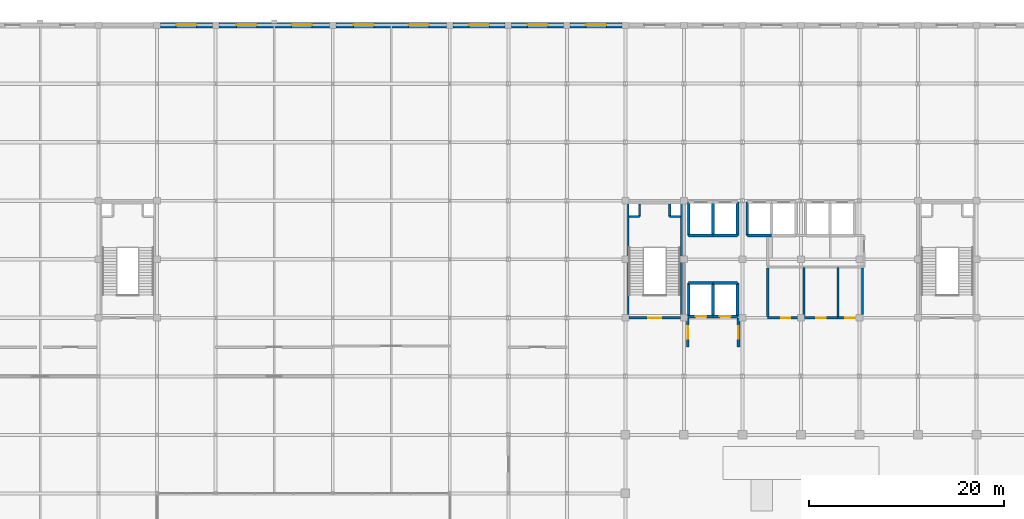
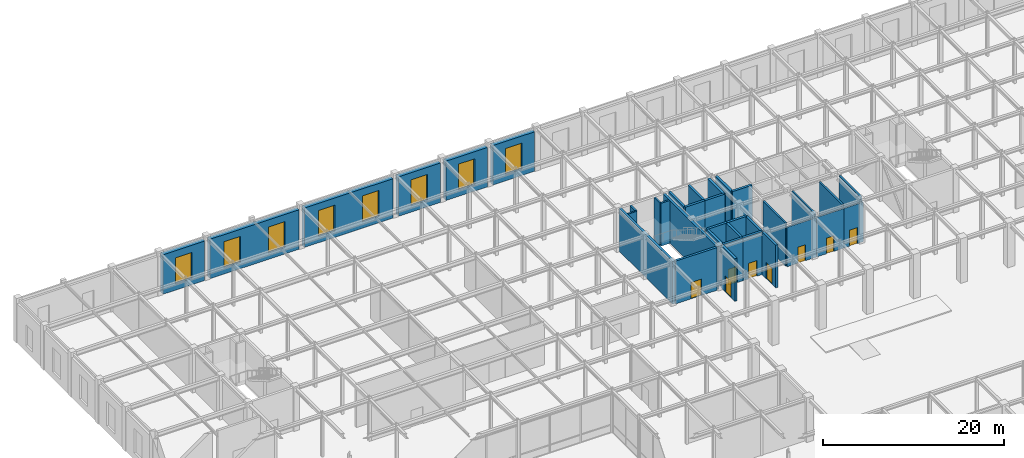
# One storey, part 101 of 108: 36 walls, 8 doors, 8 windows, 16 openings.
"""IFC4 building model written with IfcOpenShell, lengths in metres."""

from ifc_helpers import new_model, si_unit, direction, frame, frame_2d, origin, place, context, subcontext, project, spatial, rectangle, extrude, material, layer, layer_set, type_object, element, fill, save


model = new_model("IFC4")

# Units and contexts
model_context = context("Model", 3, precision=1e-05, world=origin(), true_north=direction((0.0, 1.0)))
body_context = subcontext(model_context, "Body", "Model", "MODEL_VIEW")
ifc_project = project(units=[si_unit("LENGTHUNIT", "METRE"), si_unit("AREAUNIT", "SQUARE_METRE"), si_unit("VOLUMEUNIT", "CUBIC_METRE"), si_unit("PLANEANGLEUNIT", "RADIAN"), si_unit("MASSUNIT", "GRAM", prefix="KILO")], contexts=[model_context])

# Site, building, storey
site_placement = place(None, origin())
site = spatial("IfcSite", under=ifc_project, at=site_placement, CompositionType="ELEMENT")
building_placement = place(site_placement, origin())
building = spatial("IfcBuilding", under=site, at=building_placement, Name="Zlatovratsky Civic Hall", CompositionType="ELEMENT")
storey_placement = place(building_placement, frame((0.0, 0.0, 6.0)))
storey = spatial("IfcBuildingStorey", under=building, at=storey_placement, Name="L02", CompositionType="ELEMENT", Elevation=6.0)

# Wall, opening, window
ifc_material_1 = material(Name="Acoustic ceramic blockwork", Category="masonry")
ifc_layer_1 = layer(ifc_material_1, 0.39990234375, Name="Backing")
ifc_material_2 = material(Name="Polished Karelian granite ashlar", Category="masonry")
ifc_layer_2 = layer(ifc_material_2, 0.139892578125, Name="Finish")
ifc_layer_set_1 = layer_set([ifc_layer_1, ifc_layer_2], Name="Acoustic ceramic blockwork")
wall_type_1 = type_object("IfcWallType", Name="Wall_PodiumGraniteArcade_540", PredefinedType="SOLIDWALL", material=ifc_layer_set_1)
wall_1_placement = place(storey_placement, frame((18.35009765625, 114.0, 0.0), z_axis=(0.0, 0.0, 1.0), x_axis=(1.0, 0.0, 0.0)))
wall_1 = element("IfcWall", 1, at=wall_1_placement, inside=storey, type_object=wall_type_1, Name="WL-0187", PredefinedType="SOLIDWALL", context=body_context, shape_type="SweptSolid", body=[
    extrude(rectangle(XDim=5.2998046875, YDim=0.5400390625, at=frame_2d((2.64990234375, 0.0))), origin(), (0.0, 0.0, 1.0), 5.31005859375),
])
opening_1_placement = place(wall_1_placement, frame((1.60009765625, 0.0, 0.85009765625)))
opening_1 = element("IfcOpeningElement", 2, at=opening_1_placement, cuts=wall_1, Name="Opening WN-05", PredefinedType="OPENING", context=body_context, shape_type="SweptSolid", body=[
    extrude(rectangle(XDim=2.10009765625, YDim=3.5, at=frame_2d((1.050048828125, 1.75))), frame((0.0, 0.284912109375, 0.0), z_axis=(0.0, -1.0, 0.0), x_axis=(1.0, 0.0, 0.0)), (0.0, 0.0, 1.0), 0.56982421875),
])
ifc_material_3 = material(Name="Low-E laminated double glazing", Category="glass")
window_type = type_object("IfcWindowType", Name="Window_PianoNobileWing_2100x3500", PartitioningType="SINGLE_PANEL", PredefinedType="WINDOW", material=ifc_material_3)
window_1_placement = place(opening_1_placement, origin())
window_1 = element("IfcWindow", 3, at=window_1_placement, inside=storey, type_object=window_type, Name="WN-0103", OverallHeight=3.5, OverallWidth=2.10009765625, PartitioningType="SINGLE_PANEL", PredefinedType="WINDOW", context=body_context, shape_type="SweptSolid", body=[
    extrude(rectangle(XDim=2.10009765625, YDim=3.5, at=frame_2d((1.050048828125, 1.75))), frame((0.0, 0.030029296875, 0.0), z_axis=(0.0, -1.0, 0.0), x_axis=(1.0, 0.0, 0.0)), (0.0, 0.0, 1.0), 0.06005859375),
])
fill(opening_1, window_1)

# Wall, openings, windows
wall_2_placement = place(storey_placement, frame((24.35009765625, 114.0, 0.0), z_axis=(0.0, 0.0, 1.0), x_axis=(1.0, 0.0, 0.0)))
wall_2 = element("IfcWall", 4, at=wall_2_placement, inside=storey, type_object=wall_type_1, Name="WL-0188", PredefinedType="SOLIDWALL", context=body_context, shape_type="SweptSolid", body=[
    extrude(rectangle(XDim=11.2998046875, YDim=0.5400390625, at=frame_2d((5.64990234375, 0.0))), origin(), (0.0, 0.0, 1.0), 5.31005859375),
])
opening_2_placement = place(wall_2_placement, frame((1.77490234375, 0.0, 0.85009765625)))
opening_2 = element("IfcOpeningElement", 5, at=opening_2_placement, cuts=wall_2, Name="Opening WN-05", PredefinedType="OPENING", context=body_context, shape_type="SweptSolid", body=[
    extrude(rectangle(XDim=2.10009765625, YDim=3.5, at=frame_2d((1.050048828125, 1.75))), frame((0.0, 0.284912109375, 0.0), z_axis=(0.0, -1.0, 0.0), x_axis=(1.0, 0.0, 0.0)), (0.0, 0.0, 1.0), 0.56982421875),
])
opening_3_placement = place(wall_2_placement, frame((7.425048828125, 0.0, 0.85009765625)))
opening_3 = element("IfcOpeningElement", 6, at=opening_3_placement, cuts=wall_2, Name="Opening WN-05", PredefinedType="OPENING", context=body_context, shape_type="SweptSolid", body=[
    extrude(rectangle(XDim=2.10009765625, YDim=3.5, at=frame_2d((1.050048828125, 1.75))), frame((0.0, 0.284912109375, 0.0), z_axis=(0.0, -1.0, 0.0), x_axis=(1.0, 0.0, 0.0)), (0.0, 0.0, 1.0), 0.56982421875),
])
window_2_placement = place(opening_2_placement, origin())
window_2 = element("IfcWindow", 7, at=window_2_placement, inside=storey, type_object=window_type, Name="WN-0104", OverallHeight=3.5, OverallWidth=2.10009765625, PartitioningType="SINGLE_PANEL", PredefinedType="WINDOW", context=body_context, shape_type="SweptSolid", body=[
    extrude(rectangle(XDim=2.10009765625, YDim=3.5, at=frame_2d((1.050048828125, 1.75))), frame((0.0, 0.030029296875, 0.0), z_axis=(0.0, -1.0, 0.0), x_axis=(1.0, 0.0, 0.0)), (0.0, 0.0, 1.0), 0.06005859375),
])
fill(opening_2, window_2)
window_3_placement = place(opening_3_placement, origin())
window_3 = element("IfcWindow", 8, at=window_3_placement, inside=storey, type_object=window_type, Name="WN-0105", OverallHeight=3.5, OverallWidth=2.10009765625, PartitioningType="SINGLE_PANEL", PredefinedType="WINDOW", context=body_context, shape_type="SweptSolid", body=[
    extrude(rectangle(XDim=2.10009765625, YDim=3.5, at=frame_2d((1.050048828125, 1.75))), frame((0.0, 0.030029296875, 0.0), z_axis=(0.0, -1.0, 0.0), x_axis=(1.0, 0.0, 0.0)), (0.0, 0.0, 1.0), 0.06005859375),
])
fill(opening_3, window_3)

wall_3_placement = place(storey_placement, frame((36.35009765625, 114.0, 0.0), z_axis=(0.0, 0.0, 1.0), x_axis=(1.0, 0.0, 0.0)))
wall_3 = element("IfcWall", 9, at=wall_3_placement, inside=storey, type_object=wall_type_1, Name="WL-0189", PredefinedType="SOLIDWALL", context=body_context, shape_type="SweptSolid", body=[
    extrude(rectangle(XDim=11.2998046875, YDim=0.5400390625, at=frame_2d((5.64990234375, 0.0))), origin(), (0.0, 0.0, 1.0), 5.31005859375),
])
opening_4_placement = place(wall_3_placement, frame((1.77490234375, 0.0, 0.85009765625)))
opening_4 = element("IfcOpeningElement", 10, at=opening_4_placement, cuts=wall_3, Name="Opening WN-05", PredefinedType="OPENING", context=body_context, shape_type="SweptSolid", body=[
    extrude(rectangle(XDim=2.10009765625, YDim=3.5, at=frame_2d((1.050048828125, 1.75))), frame((0.0, 0.284912109375, 0.0), z_axis=(0.0, -1.0, 0.0), x_axis=(1.0, 0.0, 0.0)), (0.0, 0.0, 1.0), 0.56982421875),
])
opening_5_placement = place(wall_3_placement, frame((7.425048828125, 0.0, 0.85009765625)))
opening_5 = element("IfcOpeningElement", 11, at=opening_5_placement, cuts=wall_3, Name="Opening WN-05", PredefinedType="OPENING", context=body_context, shape_type="SweptSolid", body=[
    extrude(rectangle(XDim=2.10009765625, YDim=3.5, at=frame_2d((1.050048828125, 1.75))), frame((0.0, 0.284912109375, 0.0), z_axis=(0.0, -1.0, 0.0), x_axis=(1.0, 0.0, 0.0)), (0.0, 0.0, 1.0), 0.56982421875),
])
window_4_placement = place(opening_4_placement, origin())
window_4 = element("IfcWindow", 12, at=window_4_placement, inside=storey, type_object=window_type, Name="WN-0106", OverallHeight=3.5, OverallWidth=2.10009765625, PartitioningType="SINGLE_PANEL", PredefinedType="WINDOW", context=body_context, shape_type="SweptSolid", body=[
    extrude(rectangle(XDim=2.10009765625, YDim=3.5, at=frame_2d((1.050048828125, 1.75))), frame((0.0, 0.030029296875, 0.0), z_axis=(0.0, -1.0, 0.0), x_axis=(1.0, 0.0, 0.0)), (0.0, 0.0, 1.0), 0.06005859375),
])
fill(opening_4, window_4)
window_5_placement = place(opening_5_placement, origin())
window_5 = element("IfcWindow", 13, at=window_5_placement, inside=storey, type_object=window_type, Name="WN-0107", OverallHeight=3.5, OverallWidth=2.10009765625, PartitioningType="SINGLE_PANEL", PredefinedType="WINDOW", context=body_context, shape_type="SweptSolid", body=[
    extrude(rectangle(XDim=2.10009765625, YDim=3.5, at=frame_2d((1.050048828125, 1.75))), frame((0.0, 0.030029296875, 0.0), z_axis=(0.0, -1.0, 0.0), x_axis=(1.0, 0.0, 0.0)), (0.0, 0.0, 1.0), 0.06005859375),
])
fill(opening_5, window_5)

# Wall, opening, window
wall_4_placement = place(storey_placement, frame((48.35009765625, 114.0, 0.0), z_axis=(0.0, 0.0, 1.0), x_axis=(1.0, 0.0, 0.0)))
wall_4 = element("IfcWall", 14, at=wall_4_placement, inside=storey, type_object=wall_type_1, Name="WL-0190", PredefinedType="SOLIDWALL", context=body_context, shape_type="SweptSolid", body=[
    extrude(rectangle(XDim=5.2998046875, YDim=0.5400390625, at=frame_2d((2.64990234375, 0.0))), origin(), (0.0, 0.0, 1.0), 5.31005859375),
])
opening_6_placement = place(wall_4_placement, frame((1.60009765625, 0.0, 0.85009765625)))
opening_6 = element("IfcOpeningElement", 15, at=opening_6_placement, cuts=wall_4, Name="Opening WN-05", PredefinedType="OPENING", context=body_context, shape_type="SweptSolid", body=[
    extrude(rectangle(XDim=2.10009765625, YDim=3.5, at=frame_2d((1.050048828125, 1.75))), frame((0.0, 0.284912109375, 0.0), z_axis=(0.0, -1.0, 0.0), x_axis=(1.0, 0.0, 0.0)), (0.0, 0.0, 1.0), 0.56982421875),
])
window_6_placement = place(opening_6_placement, origin())
window_6 = element("IfcWindow", 16, at=window_6_placement, inside=storey, type_object=window_type, Name="WN-0108", OverallHeight=3.5, OverallWidth=2.10009765625, PartitioningType="SINGLE_PANEL", PredefinedType="WINDOW", context=body_context, shape_type="SweptSolid", body=[
    extrude(rectangle(XDim=2.10009765625, YDim=3.5, at=frame_2d((1.050048828125, 1.75))), frame((0.0, 0.030029296875, 0.0), z_axis=(0.0, -1.0, 0.0), x_axis=(1.0, 0.0, 0.0)), (0.0, 0.0, 1.0), 0.06005859375),
])
fill(opening_6, window_6)

wall_5_placement = place(storey_placement, frame((54.35009765625, 114.0, 0.0), z_axis=(0.0, 0.0, 1.0), x_axis=(1.0, 0.0, 0.0)))
wall_5 = element("IfcWall", 17, at=wall_5_placement, inside=storey, type_object=wall_type_1, Name="WL-0191", PredefinedType="SOLIDWALL", context=body_context, shape_type="SweptSolid", body=[
    extrude(rectangle(XDim=5.2998046875, YDim=0.5400390625, at=frame_2d((2.64990234375, 0.0))), origin(), (0.0, 0.0, 1.0), 5.31005859375),
])
opening_7_placement = place(wall_5_placement, frame((1.60009765625, 0.0, 0.85009765625)))
opening_7 = element("IfcOpeningElement", 18, at=opening_7_placement, cuts=wall_5, Name="Opening WN-05", PredefinedType="OPENING", context=body_context, shape_type="SweptSolid", body=[
    extrude(rectangle(XDim=2.10009765625, YDim=3.5, at=frame_2d((1.050048828125, 1.75))), frame((0.0, 0.284912109375, 0.0), z_axis=(0.0, -1.0, 0.0), x_axis=(1.0, 0.0, 0.0)), (0.0, 0.0, 1.0), 0.56982421875),
])
window_7_placement = place(opening_7_placement, origin())
window_7 = element("IfcWindow", 19, at=window_7_placement, inside=storey, type_object=window_type, Name="WN-0109", OverallHeight=3.5, OverallWidth=2.10009765625, PartitioningType="SINGLE_PANEL", PredefinedType="WINDOW", context=body_context, shape_type="SweptSolid", body=[
    extrude(rectangle(XDim=2.10009765625, YDim=3.5, at=frame_2d((1.050048828125, 1.75))), frame((0.0, 0.030029296875, 0.0), z_axis=(0.0, -1.0, 0.0), x_axis=(1.0, 0.0, 0.0)), (0.0, 0.0, 1.0), 0.06005859375),
])
fill(opening_7, window_7)

wall_6_placement = place(storey_placement, frame((60.35009765625, 114.0, 0.0), z_axis=(0.0, 0.0, 1.0), x_axis=(1.0, 0.0, 0.0)))
wall_6 = element("IfcWall", 20, at=wall_6_placement, inside=storey, type_object=wall_type_1, Name="WL-0192", PredefinedType="SOLIDWALL", context=body_context, shape_type="SweptSolid", body=[
    extrude(rectangle(XDim=5.2998046875, YDim=0.5400390625, at=frame_2d((2.64990234375, 0.0))), origin(), (0.0, 0.0, 1.0), 5.31005859375),
])
opening_8_placement = place(wall_6_placement, frame((1.60009765625, 0.0, 0.85009765625)))
opening_8 = element("IfcOpeningElement", 21, at=opening_8_placement, cuts=wall_6, Name="Opening WN-05", PredefinedType="OPENING", context=body_context, shape_type="SweptSolid", body=[
    extrude(rectangle(XDim=2.10009765625, YDim=3.5, at=frame_2d((1.050048828125, 1.75))), frame((0.0, 0.284912109375, 0.0), z_axis=(0.0, -1.0, 0.0), x_axis=(1.0, 0.0, 0.0)), (0.0, 0.0, 1.0), 0.56982421875),
])
window_8_placement = place(opening_8_placement, origin())
window_8 = element("IfcWindow", 22, at=window_8_placement, inside=storey, type_object=window_type, Name="WN-0110", OverallHeight=3.5, OverallWidth=2.10009765625, PartitioningType="SINGLE_PANEL", PredefinedType="WINDOW", context=body_context, shape_type="SweptSolid", body=[
    extrude(rectangle(XDim=2.10009765625, YDim=3.5, at=frame_2d((1.050048828125, 1.75))), frame((0.0, 0.030029296875, 0.0), z_axis=(0.0, -1.0, 0.0), x_axis=(1.0, 0.0, 0.0)), (0.0, 0.0, 1.0), 0.06005859375),
])
fill(opening_8, window_8)

# Walls
ifc_layer_3 = layer(ifc_material_1, 0.219970703125)
ifc_layer_set_2 = layer_set([ifc_layer_3], Name="Acoustic ceramic blockwork")
wall_type_2 = type_object("IfcWallType", Name="Wall_SanitaryWetCore_220", PredefinedType="PARTITIONING", material=ifc_layer_set_2)
wall_7_placement = place(storey_placement, frame((67.449951171875, 94.39990234375, 0.0), z_axis=(0.0, 0.0, 1.0), x_axis=(0.0, 1.0, 0.0)))
element("IfcWall", 23, at=wall_7_placement, inside=storey, type_object=wall_type_2, Name="WL-5021", PredefinedType="PARTITIONING", context=body_context, shape_type="SweptSolid", body=[
    extrude(rectangle(XDim=1.25, YDim=0.219970703125, at=frame_2d((0.625, 0.0))), origin(), (0.0, 0.0, 1.0), 5.760009765625),
])
wall_8_placement = place(storey_placement, frame((66.35009765625, 94.39990234375, 0.0), z_axis=(0.0, 0.0, 1.0), x_axis=(1.0, 0.0, 0.0)))
element("IfcWall", 24, at=wall_8_placement, inside=storey, type_object=wall_type_2, Name="WL-5022", PredefinedType="PARTITIONING", context=body_context, shape_type="SweptSolid", body=[
    extrude(rectangle(XDim=1.099853515625, YDim=0.219970703125, at=frame_2d((0.5498046875, 0.0))), origin(), (0.0, 0.0, 1.0), 5.760009765625),
])
wall_9_placement = place(storey_placement, frame((70.550048828125, 94.39990234375, 0.0), z_axis=(0.0, 0.0, 1.0), x_axis=(0.0, 1.0, 0.0)))
element("IfcWall", 25, at=wall_9_placement, inside=storey, type_object=wall_type_2, Name="WL-5023", PredefinedType="PARTITIONING", context=body_context, shape_type="SweptSolid", body=[
    extrude(rectangle(XDim=1.25, YDim=0.219970703125, at=frame_2d((0.625, 0.0))), origin(), (0.0, 0.0, 1.0), 5.760009765625),
])
wall_10_placement = place(storey_placement, frame((70.550048828125, 94.39990234375, 0.0), z_axis=(0.0, 0.0, 1.0), x_axis=(1.0, 0.0, 0.0)))
element("IfcWall", 26, at=wall_10_placement, inside=storey, type_object=wall_type_2, Name="WL-5024", PredefinedType="PARTITIONING", context=body_context, shape_type="SweptSolid", body=[
    extrude(rectangle(XDim=1.099853515625, YDim=0.219970703125, at=frame_2d((0.5498046875, 0.0))), origin(), (0.0, 0.0, 1.0), 5.760009765625),
])

# Wall, opening, door
wall_11_placement = place(storey_placement, frame((80.60009765625, 84.0, 0.0), z_axis=(0.0, 0.0, 1.0), x_axis=(1.0, 0.0, 0.0)))
wall_11 = element("IfcWall", 27, at=wall_11_placement, inside=storey, type_object=wall_type_2, Name="WL-6110", PredefinedType="PARTITIONING", context=body_context, shape_type="SweptSolid", body=[
    extrude(rectangle(XDim=3.699951171875, YDim=0.219970703125, at=frame_2d((1.85009765625, 0.0))), origin(), (0.0, 0.0, 1.0), 5.320068359375),
])
opening_9_placement = place(wall_11_placement, frame((1.375, 0.0, 0.0)))
opening_9 = element("IfcOpeningElement", 28, at=opening_9_placement, cuts=wall_11, Name="Opening D-21", PredefinedType="OPENING", context=body_context, shape_type="SweptSolid", body=[
    extrude(rectangle(XDim=0.949951171875, YDim=2.14990234375, at=frame_2d((0.47509765625, 1.074951171875))), frame((0.0, 0.125, 0.0), z_axis=(0.0, -1.0, 0.0), x_axis=(1.0, 0.0, 0.0)), (0.0, 0.0, 1.0), 0.249755859375),
])
ifc_material_4 = material(Name="Solid oak joinery in steel frame", Category="steel")
door_type_1 = type_object("IfcDoorType", Name="Door_MensWC_950x2150", OperationType="NOTDEFINED", PredefinedType="DOOR", material=ifc_material_4)
door_1_placement = place(opening_9_placement, origin())
door_1 = element("IfcDoor", 29, at=door_1_placement, inside=storey, type_object=door_type_1, Name="DR-5254", OperationType="SINGLE_SWING_LEFT", OverallHeight=2.14990234375, OverallWidth=0.949951171875, PredefinedType="DOOR", context=body_context, shape_type="SweptSolid", body=[
    extrude(rectangle(XDim=0.949951171875, YDim=2.14990234375, at=frame_2d((0.47509765625, 1.074951171875))), frame((0.0, 0.02490234375, 0.0), z_axis=(0.0, -1.0, 0.0), x_axis=(1.0, 0.0, 0.0)), (0.0, 0.0, 1.0), 0.050048828125),
])
fill(opening_9, door_1)

wall_12_placement = place(storey_placement, frame((84.300048828125, 84.0, 0.0), z_axis=(0.0, 0.0, 1.0), x_axis=(1.0, 0.0, 0.0)))
wall_12 = element("IfcWall", 30, at=wall_12_placement, inside=storey, type_object=wall_type_2, Name="WL-6111", PredefinedType="PARTITIONING", context=body_context, shape_type="SweptSolid", body=[
    extrude(rectangle(XDim=3.5, YDim=0.219970703125, at=frame_2d((1.75, 0.0))), origin(), (0.0, 0.0, 1.0), 5.320068359375),
])
opening_10_placement = place(wall_12_placement, frame((1.27490234375, 0.0, 0.0)))
opening_10 = element("IfcOpeningElement", 31, at=opening_10_placement, cuts=wall_12, Name="Opening D-22", PredefinedType="OPENING", context=body_context, shape_type="SweptSolid", body=[
    extrude(rectangle(XDim=0.949951171875, YDim=2.10009765625, at=frame_2d((0.47509765625, 1.050048828125))), frame((0.0, 0.125, 0.0), z_axis=(0.0, -1.0, 0.0), x_axis=(1.0, 0.0, 0.0)), (0.0, 0.0, 1.0), 0.249755859375),
])
door_type_2 = type_object("IfcDoorType", Name="Door_WomensWC_950x2100", OperationType="NOTDEFINED", PredefinedType="DOOR", material=ifc_material_4)
door_2_placement = place(opening_10_placement, origin())
door_2 = element("IfcDoor", 32, at=door_2_placement, inside=storey, type_object=door_type_2, Name="DR-5255", OperationType="SINGLE_SWING_RIGHT", OverallHeight=2.10009765625, OverallWidth=0.949951171875, PredefinedType="DOOR", context=body_context, shape_type="SweptSolid", body=[
    extrude(rectangle(XDim=0.949951171875, YDim=2.10009765625, at=frame_2d((0.47509765625, 1.050048828125))), frame((0.0, 0.02490234375, 0.0), z_axis=(0.0, -1.0, 0.0), x_axis=(1.0, 0.0, 0.0)), (0.0, 0.0, 1.0), 0.050048828125),
])
fill(opening_10, door_2)

wall_13_placement = place(storey_placement, frame((87.800048828125, 84.0, 0.0), z_axis=(0.0, 0.0, 1.0), x_axis=(1.0, 0.0, 0.0)))
wall_13 = element("IfcWall", 33, at=wall_13_placement, inside=storey, type_object=wall_type_2, Name="WL-6112", PredefinedType="PARTITIONING", context=body_context, shape_type="SweptSolid", body=[
    extrude(rectangle(XDim=2.5, YDim=0.219970703125, at=frame_2d((1.25, 0.0))), origin(), (0.0, 0.0, 1.0), 5.320068359375),
])
opening_11_placement = place(wall_13_placement, frame((0.75, 0.0, 0.0)))
opening_11 = element("IfcOpeningElement", 34, at=opening_11_placement, cuts=wall_13, Name="Opening D-20", PredefinedType="OPENING", context=body_context, shape_type="SweptSolid", body=[
    extrude(rectangle(XDim=1.0, YDim=2.14990234375, at=frame_2d((0.5, 1.074951171875))), frame((0.0, 0.125, 0.0), z_axis=(0.0, -1.0, 0.0), x_axis=(1.0, 0.0, 0.0)), (0.0, 0.0, 1.0), 0.249755859375),
])
door_type_3 = type_object("IfcDoorType", Name="Door_AccessibleWC_1000x2150", OperationType="NOTDEFINED", PredefinedType="DOOR", material=ifc_material_4)
door_3_placement = place(opening_11_placement, origin())
door_3 = element("IfcDoor", 35, at=door_3_placement, inside=storey, type_object=door_type_3, Name="DR-5256", OperationType="SINGLE_SWING_LEFT", OverallHeight=2.14990234375, OverallWidth=1.0, PredefinedType="DOOR", context=body_context, shape_type="SweptSolid", body=[
    extrude(rectangle(XDim=1.0, YDim=2.14990234375, at=frame_2d((0.5, 1.074951171875))), frame((0.0, 0.02490234375, 0.0), z_axis=(0.0, -1.0, 0.0), x_axis=(1.0, 0.0, 0.0)), (0.0, 0.0, 1.0), 0.050048828125),
])
fill(opening_11, door_3)

# Walls
for number, where, z_axis, x_axis, name in (
    (36, (84.300048828125, 84.14990234375, 0.0), (0.0, 0.0, 1.0), (0.0, 1.0, 0.0), "WL-6113"),
    (37, (87.800048828125, 84.14990234375, 0.0), (0.0, 0.0, 1.0), (0.0, 1.0, 0.0), "WL-6114"),
):
    element("IfcWall", number, at=place(storey_placement, frame(where, z_axis=z_axis, x_axis=x_axis)), inside=storey, type_object=wall_type_2, Name=name, PredefinedType="PARTITIONING", context=body_context, shape_type="SweptSolid", body=[
        extrude(rectangle(XDim=5.0, YDim=0.219970703125, at=frame_2d((2.5, 0.0))), origin(), (0.0, 0.0, 1.0), 5.760009765625),
    ])
wall_14_placement = place(storey_placement, frame((80.60009765625, 84.110107421875, 0.0), z_axis=(0.0, 0.0, 1.0), x_axis=(0.0, 1.0, 0.0)))
element("IfcWall", 38, at=wall_14_placement, inside=storey, type_object=wall_type_2, Name="WL-6155", PredefinedType="PARTITIONING", context=body_context, shape_type="SweptSolid", body=[
    extrude(rectangle(XDim=4.97998046875, YDim=0.219970703125, at=frame_2d((2.489990234375, 0.0))), origin(), (0.0, 0.0, 1.0), 5.760009765625),
])
wall_15_placement = place(storey_placement, frame((90.300048828125, 84.360107421875, 0.0), z_axis=(0.0, 0.0, 1.0), x_axis=(0.0, 1.0, 0.0)))
element("IfcWall", 39, at=wall_15_placement, inside=storey, type_object=wall_type_2, Name="WL-6156", PredefinedType="PARTITIONING", context=body_context, shape_type="SweptSolid", body=[
    extrude(rectangle(XDim=4.72998046875, YDim=0.219970703125, at=frame_2d((2.364990234375, 0.0))), origin(), (0.0, 0.0, 1.0), 5.760009765625),
])

# Wall, opening, door
ifc_material_5 = material(Name="Concrete C35/45 (B40)", Category="concrete")
ifc_layer_4 = layer(ifc_material_5, 0.300048828125)
ifc_layer_set_3 = layer_set([ifc_layer_4], Name="Concrete C35/45 (B40)")
wall_type_3 = type_object("IfcWallType", Name="Wall_StairAndLiftShaft_300", PredefinedType="SHEAR", material=ifc_layer_set_3)
wall_16_placement = place(storey_placement, frame((66.35009765625, 84.0, 0.0), z_axis=(0.0, 0.0, 1.0), x_axis=(1.0, 0.0, 0.0)))
wall_16 = element("IfcWall", 40, at=wall_16_placement, inside=storey, type_object=wall_type_3, Name="WL-5017", PredefinedType="SHEAR", context=body_context, shape_type="SweptSolid", body=[
    extrude(rectangle(XDim=5.2998046875, YDim=0.300048828125, at=frame_2d((2.64990234375, 0.0))), origin(), (0.0, 0.0, 1.0), 5.760009765625),
])
opening_12_placement = place(wall_16_placement, frame((1.97509765625, 0.0, 0.0)))
opening_12 = element("IfcOpeningElement", 41, at=opening_12_placement, cuts=wall_16, Name="Opening D-17", PredefinedType="OPENING", context=body_context, shape_type="SweptSolid", body=[
    extrude(rectangle(XDim=1.35009765625, YDim=2.199951171875, at=frame_2d((0.675048828125, 1.10009765625))), frame((0.0, 0.1650390625, 0.0), z_axis=(0.0, -1.0, 0.0), x_axis=(1.0, 0.0, 0.0)), (0.0, 0.0, 1.0), 0.329833984375),
])
ifc_material_6 = material(Name="Insulated painted fire-rated steel leaf", Category="steel")
door_type_4 = type_object("IfcDoorType", Name="Door_StairwellFireTower_1350x2200", OperationType="NOTDEFINED", PredefinedType="DOOR", material=ifc_material_6)
door_4_placement = place(opening_12_placement, origin())
door_4 = element("IfcDoor", 42, at=door_4_placement, inside=storey, type_object=door_type_4, Name="DR-5003", OperationType="SINGLE_SWING_LEFT", OverallHeight=2.199951171875, OverallWidth=1.35009765625, PredefinedType="DOOR", context=body_context, shape_type="SweptSolid", body=[
    extrude(rectangle(XDim=1.35009765625, YDim=2.199951171875, at=frame_2d((0.675048828125, 1.10009765625))), frame((0.0, 0.02490234375, 0.0), z_axis=(0.0, -1.0, 0.0), x_axis=(1.0, 0.0, 0.0)), (0.0, 0.0, 1.0), 0.050048828125),
])
fill(opening_12, door_4)

# Walls
for number, where, z_axis, x_axis, name in (
    (43, (66.199951171875, 84.0, 0.0), (0.0, 0.0, 1.0), (0.0, 1.0, 0.0), "WL-5019"),
    (44, (71.800048828125, 84.0, 0.0), (0.0, 0.0, 1.0), (0.0, 1.0, 0.0), "WL-5020"),
):
    element("IfcWall", number, at=place(storey_placement, frame(where, z_axis=z_axis, x_axis=x_axis)), inside=storey, type_object=wall_type_3, Name=name, PredefinedType="SHEAR", context=body_context, shape_type="SweptSolid", body=[
        extrude(rectangle(XDim=11.800048828125, YDim=0.300048828125, at=frame_2d((5.89990234375, 0.0))), origin(), (0.0, 0.0, 1.0), 5.760009765625),
    ])

# Wall, opening, door
wall_17_placement = place(storey_placement, frame((72.5, 84.14990234375, 0.0), z_axis=(0.0, 0.0, 1.0), x_axis=(1.0, 0.0, 0.0)))
wall_17 = element("IfcWall", 45, at=wall_17_placement, inside=storey, type_object=wall_type_3, Name="WL-5499", PredefinedType="SHEAR", context=body_context, shape_type="SweptSolid", body=[
    extrude(rectangle(XDim=2.5, YDim=0.300048828125, at=frame_2d((1.25, 0.0))), origin(), (0.0, 0.0, 1.0), 5.760009765625),
])
opening_13_placement = place(wall_17_placement, frame((0.699951171875, 0.0, 0.0)))
opening_13 = element("IfcOpeningElement", 46, at=opening_13_placement, cuts=wall_17, Name="Opening LD-01", PredefinedType="OPENING", context=body_context, shape_type="SweptSolid", body=[
    extrude(rectangle(XDim=1.10009765625, YDim=2.10009765625, at=frame_2d((0.550048828125, 1.050048828125))), frame((0.0, 0.1650390625, 0.0), z_axis=(0.0, -1.0, 0.0), x_axis=(1.0, 0.0, 0.0)), (0.0, 0.0, 1.0), 0.329833984375),
])
ifc_material_7 = material(Name="Brushed stainless steel AISI 304", Category="steel")
door_type_5 = type_object("IfcDoorType", Name="Door_LiftLandingFire_1100x2100", OperationType="DOUBLE_DOOR_SLIDING", PredefinedType="DOOR", material=ifc_material_7)
door_5_placement = place(opening_13_placement, origin())
door_5 = element("IfcDoor", 47, at=door_5_placement, inside=storey, type_object=door_type_5, Name="Lift landing door LD-5061", OperationType="DOUBLE_DOOR_SLIDING", OverallHeight=2.10009765625, OverallWidth=1.10009765625, PredefinedType="DOOR", context=body_context, shape_type="SweptSolid", body=[
    extrude(rectangle(XDim=1.10009765625, YDim=2.10009765625, at=frame_2d((0.550048828125, 1.050048828125))), frame((0.0, 0.02490234375, 0.0), z_axis=(0.0, -1.0, 0.0), x_axis=(1.0, 0.0, 0.0)), (0.0, 0.0, 1.0), 0.050048828125),
])
fill(opening_13, door_5)

# Walls
wall_18_placement = place(storey_placement, frame((72.5, 87.550048828125, 0.0), z_axis=(0.0, 0.0, 1.0), x_axis=(1.0, 0.0, 0.0)))
element("IfcWall", 48, at=wall_18_placement, inside=storey, type_object=wall_type_3, Name="WL-5500", PredefinedType="SHEAR", context=body_context, shape_type="SweptSolid", body=[
    extrude(rectangle(XDim=2.5, YDim=0.300048828125, at=frame_2d((1.25, 0.0))), origin(), (0.0, 0.0, 1.0), 5.760009765625),
])
wall_19_placement = place(storey_placement, frame((72.5, 84.14990234375, 0.0), z_axis=(0.0, 0.0, 1.0), x_axis=(0.0, 1.0, 0.0)))
element("IfcWall", 49, at=wall_19_placement, inside=storey, type_object=wall_type_3, Name="WL-5501", PredefinedType="SHEAR", context=body_context, shape_type="SweptSolid", body=[
    extrude(rectangle(XDim=3.400146484375, YDim=0.300048828125, at=frame_2d((1.7001953125, 0.0))), origin(), (0.0, 0.0, 1.0), 5.760009765625),
])

# Wall, opening, door
wall_20_placement = place(storey_placement, frame((75.0, 84.14990234375, 0.0), z_axis=(0.0, 0.0, 1.0), x_axis=(1.0, 0.0, 0.0)))
wall_20 = element("IfcWall", 50, at=wall_20_placement, inside=storey, type_object=wall_type_3, Name="WL-5558", PredefinedType="SHEAR", context=body_context, shape_type="SweptSolid", body=[
    extrude(rectangle(XDim=2.5, YDim=0.300048828125, at=frame_2d((1.25, 0.0))), origin(), (0.0, 0.0, 1.0), 5.760009765625),
])
opening_14_placement = place(wall_20_placement, frame((0.699951171875, 0.0, 0.0)))
opening_14 = element("IfcOpeningElement", 51, at=opening_14_placement, cuts=wall_20, Name="Opening LD-01", PredefinedType="OPENING", context=body_context, shape_type="SweptSolid", body=[
    extrude(rectangle(XDim=1.10009765625, YDim=2.10009765625, at=frame_2d((0.550048828125, 1.050048828125))), frame((0.0, 0.1650390625, 0.0), z_axis=(0.0, -1.0, 0.0), x_axis=(1.0, 0.0, 0.0)), (0.0, 0.0, 1.0), 0.329833984375),
])
door_6_placement = place(opening_14_placement, origin())
door_6 = element("IfcDoor", 52, at=door_6_placement, inside=storey, type_object=door_type_5, Name="Lift landing door LD-5080", OperationType="DOUBLE_DOOR_SLIDING", OverallHeight=2.10009765625, OverallWidth=1.10009765625, PredefinedType="DOOR", context=body_context, shape_type="SweptSolid", body=[
    extrude(rectangle(XDim=1.10009765625, YDim=2.10009765625, at=frame_2d((0.550048828125, 1.050048828125))), frame((0.0, 0.02490234375, 0.0), z_axis=(0.0, -1.0, 0.0), x_axis=(1.0, 0.0, 0.0)), (0.0, 0.0, 1.0), 0.050048828125),
])
fill(opening_14, door_6)

# Walls
wall_21_placement = place(storey_placement, frame((75.0, 87.550048828125, 0.0), z_axis=(0.0, 0.0, 1.0), x_axis=(1.0, 0.0, 0.0)))
element("IfcWall", 53, at=wall_21_placement, inside=storey, type_object=wall_type_3, Name="WL-5559", PredefinedType="SHEAR", context=body_context, shape_type="SweptSolid", body=[
    extrude(rectangle(XDim=2.5, YDim=0.300048828125, at=frame_2d((1.25, 0.0))), origin(), (0.0, 0.0, 1.0), 5.760009765625),
])
for number, where, z_axis, x_axis, name in (
    (54, (75.0, 84.14990234375, 0.0), (0.0, 0.0, 1.0), (0.0, 1.0, 0.0), "WL-5560"),
    (55, (77.5, 84.14990234375, 0.0), (0.0, 0.0, 1.0), (0.0, 1.0, 0.0), "WL-5561"),
):
    element("IfcWall", number, at=place(storey_placement, frame(where, z_axis=z_axis, x_axis=x_axis)), inside=storey, type_object=wall_type_3, Name=name, PredefinedType="SHEAR", context=body_context, shape_type="SweptSolid", body=[
        extrude(rectangle(XDim=3.400146484375, YDim=0.300048828125, at=frame_2d((1.7001953125, 0.0))), origin(), (0.0, 0.0, 1.0), 5.760009765625),
    ])
wall_22_placement = place(storey_placement, frame((72.5, 92.449951171875, 0.0), z_axis=(0.0, 0.0, 1.0), x_axis=(1.0, 0.0, 0.0)))
element("IfcWall", 56, at=wall_22_placement, inside=storey, type_object=wall_type_3, Name="WL-5633", PredefinedType="SHEAR", context=body_context, shape_type="SweptSolid", body=[
    extrude(rectangle(XDim=2.5, YDim=0.300048828125, at=frame_2d((1.25, 0.0))), origin(), (0.0, 0.0, 1.0), 5.760009765625),
])
wall_23_placement = place(storey_placement, frame((72.5, 92.449951171875, 0.0), z_axis=(0.0, 0.0, 1.0), x_axis=(0.0, 1.0, 0.0)))
element("IfcWall", 57, at=wall_23_placement, inside=storey, type_object=wall_type_3, Name="WL-5634", PredefinedType="SHEAR", context=body_context, shape_type="SweptSolid", body=[
    extrude(rectangle(XDim=3.400146484375, YDim=0.300048828125, at=frame_2d((1.7001953125, 0.0))), origin(), (0.0, 0.0, 1.0), 5.760009765625),
])
wall_24_placement = place(storey_placement, frame((75.0, 92.449951171875, 0.0), z_axis=(0.0, 0.0, 1.0), x_axis=(1.0, 0.0, 0.0)))
element("IfcWall", 58, at=wall_24_placement, inside=storey, type_object=wall_type_3, Name="WL-5692", PredefinedType="SHEAR", context=body_context, shape_type="SweptSolid", body=[
    extrude(rectangle(XDim=2.5, YDim=0.300048828125, at=frame_2d((1.25, 0.0))), origin(), (0.0, 0.0, 1.0), 5.760009765625),
])
for number, where, z_axis, x_axis, name in (
    (59, (75.0, 92.449951171875, 0.0), (0.0, 0.0, 1.0), (0.0, 1.0, 0.0), "WL-5693"),
    (60, (77.5, 92.449951171875, 0.0), (0.0, 0.0, 1.0), (0.0, 1.0, 0.0), "WL-5694"),
):
    element("IfcWall", number, at=place(storey_placement, frame(where, z_axis=z_axis, x_axis=x_axis)), inside=storey, type_object=wall_type_3, Name=name, PredefinedType="SHEAR", context=body_context, shape_type="SweptSolid", body=[
        extrude(rectangle(XDim=3.400146484375, YDim=0.300048828125, at=frame_2d((1.7001953125, 0.0))), origin(), (0.0, 0.0, 1.0), 5.760009765625),
    ])
wall_25_placement = place(storey_placement, frame((78.5, 92.449951171875, 0.0), z_axis=(0.0, 0.0, 1.0), x_axis=(1.0, 0.0, 0.0)))
element("IfcWall", 61, at=wall_25_placement, inside=storey, type_object=wall_type_3, Name="WL-5766", PredefinedType="SHEAR", context=body_context, shape_type="SweptSolid", body=[
    extrude(rectangle(XDim=2.5, YDim=0.300048828125, at=frame_2d((1.25, 0.0))), origin(), (0.0, 0.0, 1.0), 5.760009765625),
])
wall_26_placement = place(storey_placement, frame((78.5, 92.449951171875, 0.0), z_axis=(0.0, 0.0, 1.0), x_axis=(0.0, 1.0, 0.0)))
element("IfcWall", 62, at=wall_26_placement, inside=storey, type_object=wall_type_3, Name="WL-5767", PredefinedType="SHEAR", context=body_context, shape_type="SweptSolid", body=[
    extrude(rectangle(XDim=3.400146484375, YDim=0.300048828125, at=frame_2d((1.7001953125, 0.0))), origin(), (0.0, 0.0, 1.0), 5.760009765625),
])

# Wall, opening, door
wall_27_placement = place(storey_placement, frame((72.39990234375, 81.0, 0.0), z_axis=(0.0, 0.0, 1.0), x_axis=(0.0, 1.0, 0.0)))
wall_27 = element("IfcWall", 63, at=wall_27_placement, inside=storey, type_object=wall_type_3, Name="WL-6108", PredefinedType="SHEAR", context=body_context, shape_type="SweptSolid", body=[
    extrude(rectangle(XDim=3.0, YDim=0.300048828125, at=frame_2d((1.5, 0.0))), origin(), (0.0, 0.0, 1.0), 5.760009765625),
])
opening_15_placement = place(wall_27_placement, frame((0.85009765625, 0.0, 0.0)))
opening_15 = element("IfcOpeningElement", 64, at=opening_15_placement, cuts=wall_27, Name="Opening D-18", PredefinedType="OPENING", context=body_context, shape_type="SweptSolid", body=[
    extrude(rectangle(XDim=1.300048828125, YDim=2.199951171875, at=frame_2d((0.64990234375, 1.10009765625))), frame((0.0, 0.1650390625, 0.0), z_axis=(0.0, -1.0, 0.0), x_axis=(1.0, 0.0, 0.0)), (0.0, 0.0, 1.0), 0.329833984375),
])
door_type_6 = type_object("IfcDoorType", Name="Door_FireLobbyAirlock_1300x2200", OperationType="NOTDEFINED", PredefinedType="DOOR", material=ifc_material_6)
door_7_placement = place(opening_15_placement, origin())
door_7 = element("IfcDoor", 65, at=door_7_placement, inside=storey, type_object=door_type_6, Name="DR-5252", OperationType="SINGLE_SWING_RIGHT", OverallHeight=2.199951171875, OverallWidth=1.300048828125, PredefinedType="DOOR", context=body_context, shape_type="SweptSolid", body=[
    extrude(rectangle(XDim=1.300048828125, YDim=2.199951171875, at=frame_2d((0.64990234375, 1.10009765625))), frame((0.0, 0.02490234375, 0.0), z_axis=(0.0, -1.0, 0.0), x_axis=(1.0, 0.0, 0.0)), (0.0, 0.0, 1.0), 0.050048828125),
])
fill(opening_15, door_7)

wall_28_placement = place(storey_placement, frame((77.60009765625, 81.0, 0.0), z_axis=(0.0, 0.0, 1.0), x_axis=(0.0, 1.0, 0.0)))
wall_28 = element("IfcWall", 66, at=wall_28_placement, inside=storey, type_object=wall_type_3, Name="WL-6109", PredefinedType="SHEAR", context=body_context, shape_type="SweptSolid", body=[
    extrude(rectangle(XDim=3.0, YDim=0.300048828125, at=frame_2d((1.5, 0.0))), origin(), (0.0, 0.0, 1.0), 5.760009765625),
])
opening_16_placement = place(wall_28_placement, frame((0.85009765625, 0.0, 0.0)))
opening_16 = element("IfcOpeningElement", 67, at=opening_16_placement, cuts=wall_28, Name="Opening D-18", PredefinedType="OPENING", context=body_context, shape_type="SweptSolid", body=[
    extrude(rectangle(XDim=1.300048828125, YDim=2.199951171875, at=frame_2d((0.64990234375, 1.10009765625))), frame((0.0, 0.1650390625, 0.0), z_axis=(0.0, -1.0, 0.0), x_axis=(1.0, 0.0, 0.0)), (0.0, 0.0, 1.0), 0.329833984375),
])
door_8_placement = place(opening_16_placement, origin())
door_8 = element("IfcDoor", 68, at=door_8_placement, inside=storey, type_object=door_type_6, Name="DR-5253", OperationType="SINGLE_SWING_RIGHT", OverallHeight=2.199951171875, OverallWidth=1.300048828125, PredefinedType="DOOR", context=body_context, shape_type="SweptSolid", body=[
    extrude(rectangle(XDim=1.300048828125, YDim=2.199951171875, at=frame_2d((0.64990234375, 1.10009765625))), frame((0.0, 0.02490234375, 0.0), z_axis=(0.0, -1.0, 0.0), x_axis=(1.0, 0.0, 0.0)), (0.0, 0.0, 1.0), 0.050048828125),
])
fill(opening_16, door_8)

save(model, "model.ifc")
